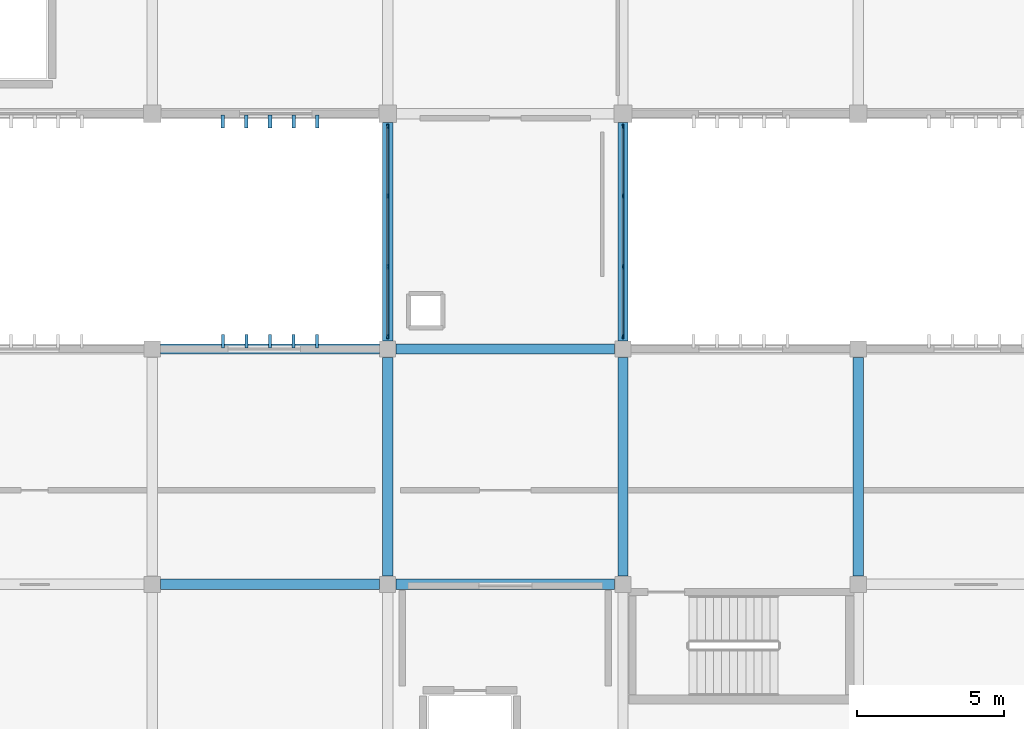
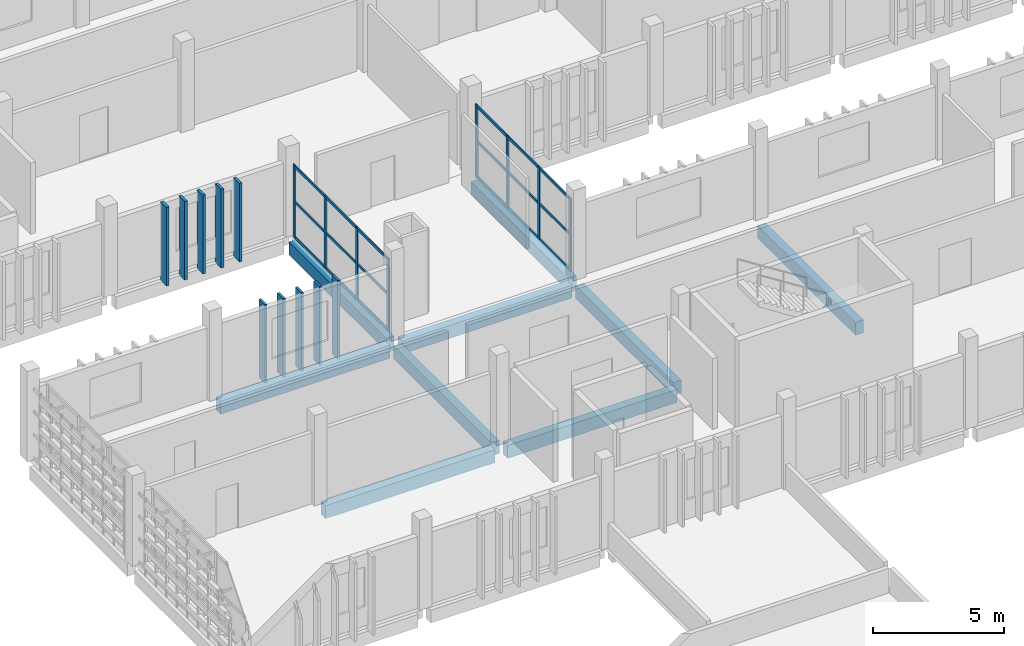
# One storey, part 21 of 48: 36 members, 9 beams, 2 elements without a shape of their own.
"""IFC4 building model written with IfcOpenShell, lengths in metres."""

from ifc_helpers import new_model, si_unit, direction, frame, origin, origin_2d, place, context, subcontext, project, spatial, rectangle, extrude, material, layer, layer_set, material_profile, profile_set, type_object, element, aggregate, save


model = new_model("IFC4")

# Units and contexts
model_context = context("Model", 3, precision=1e-05, world=origin(), true_north=direction((0.0, 1.0)))
body_context = subcontext(model_context, "Body", "Model", "MODEL_VIEW")
ifc_project = project(units=[si_unit("LENGTHUNIT", "METRE"), si_unit("AREAUNIT", "SQUARE_METRE"), si_unit("VOLUMEUNIT", "CUBIC_METRE"), si_unit("PLANEANGLEUNIT", "RADIAN"), si_unit("MASSUNIT", "GRAM", prefix="KILO")], contexts=[model_context])

# Site, building, storey
site_placement = place(None, origin())
site = spatial("IfcSite", under=ifc_project, at=site_placement, CompositionType="ELEMENT")
building_placement = place(site_placement, origin())
building = spatial("IfcBuilding", under=site, at=building_placement, Name="Jelvoka-Kovrelna Polytechnic", CompositionType="ELEMENT")
storey_placement = place(building_placement, frame((0.0, 0.0, 22.199951171875)))
storey = spatial("IfcBuildingStorey", under=building, at=storey_placement, Name="L06", CompositionType="ELEMENT", Elevation=22.199951171875)

# Beams
ifc_material_1 = material(Name="Concrete C35/45", Category="concrete")
ifc_material_profile_1 = material_profile(ifc_material_1, rectangle(XDim=0.35009765625, YDim=0.60009765625, at=origin_2d()), Name="RC 350x600")
ifc_profile_set_1 = profile_set([ifc_material_profile_1], Name="Concrete C35/45")
beam_type_1 = type_object("IfcBeamType", Name="Beam_RC_350x600", PredefinedType="BEAM", material=ifc_profile_set_1)
for number, where, z_axis, x_axis, name in (
    (1, (136.280029296875, 40.0, -0.5400390625), (1.0, 0.0, 0.0), (0.0, 1.0, 0.0), "L06 beam 1662"),
    (2, (144.280029296875, 40.0, -0.5400390625), (1.0, 0.0, 0.0), (0.0, 1.0, 0.0), "L06 beam 1663"),
    (3, (144.0, 40.280029296875, -0.5400390625), (0.0, 1.0, 0.0), (-1.0, 0.0, 0.0), "L06 beam 1683"),
    (4, (152.0, 40.280029296875, -0.5400390625), (0.0, 1.0, 0.0), (-1.0, 0.0, 0.0), "L06 beam 1685"),
    (5, (160.0, 40.280029296875, -0.5400390625), (0.0, 1.0, 0.0), (-1.0, 0.0, 0.0), "L06 beam 1687"),
):
    element("IfcBeam", number, at=place(storey_placement, frame(where, z_axis=z_axis, x_axis=x_axis)), inside=storey, type_object=beam_type_1, Name=name, PredefinedType="BEAM", context=body_context, shape_type="SweptSolid", body=[
        extrude(rectangle(XDim=0.35009765625, YDim=0.60009765625, at=origin_2d()), origin(), (0.0, 0.0, 1.0), 7.43994140625),
    ])
for number, where, z_axis, x_axis, name in (
    (6, (144.0, 48.280029296875, -0.5400390625), (0.0, 1.0, 0.0), (-1.0, 0.0, 0.0), "L06 beam 1774"),
    (7, (152.0, 48.280029296875, -0.5400390625), (0.0, 1.0, 0.0), (-1.0, 0.0, 0.0), "L06 beam 1775"),
):
    element("IfcBeam", number, at=place(storey_placement, frame(where, z_axis=z_axis, x_axis=x_axis)), inside=storey, type_object=beam_type_1, Name=name, PredefinedType="BEAM", context=body_context, shape_type="SweptSolid", body=[
        extrude(rectangle(XDim=0.35009765625, YDim=0.60009765625, at=origin_2d()), origin(), (0.0, 0.0, 1.0), 7.4150390625),
    ])

# Members
ifc_material_2 = material(Name="Precast concrete C40/50", Category="concrete")
ifc_material_profile_2 = material_profile(ifc_material_2, rectangle(XDim=0.10009765625, YDim=0.449951171875, at=origin_2d()), Name="PC 100x450")
ifc_profile_set_2 = profile_set([ifc_material_profile_2], Name="Precast concrete C40/50")
member_type_1 = type_object("IfcMemberType", Name="Louvre_Fin_100x450", PredefinedType="USERDEFINED", material=ifc_profile_set_2)
for number, where, z_axis, x_axis, name in (
    (8, (138.39990234375, 48.264892578125, -0.27001953125), (0.0, 0.0, 1.0), (1.0, 0.0, 0.0), "L06 B2E north vertical solar louvre fin 1091"),
    (9, (139.199951171875, 48.264892578125, -0.27001953125), (0.0, 0.0, 1.0), (1.0, 0.0, 0.0), "L06 B2E north vertical solar louvre fin 1092"),
    (10, (140.0, 48.264892578125, -0.27001953125), (0.0, 0.0, 1.0), (1.0, 0.0, 0.0), "L06 B2E north vertical solar louvre fin 1093"),
    (11, (140.800048828125, 48.264892578125, -0.27001953125), (0.0, 0.0, 1.0), (1.0, 0.0, 0.0), "L06 B2E north vertical solar louvre fin 1094"),
    (12, (141.60009765625, 48.264892578125, -0.27001953125), (0.0, 0.0, 1.0), (1.0, 0.0, 0.0), "L06 B2E north vertical solar louvre fin 1095"),
):
    element("IfcMember", number, at=place(storey_placement, frame(where, z_axis=z_axis, x_axis=x_axis)), inside=storey, type_object=member_type_1, Name=name, ObjectType="SUNSHADE", PredefinedType="USERDEFINED", context=body_context, shape_type="SweptSolid", body=[
        extrude(rectangle(XDim=0.10009765625, YDim=0.449951171875, at=origin_2d()), origin(), (0.0, 0.0, 1.0), 3.655029296875),
    ])
ifc_material_3 = material(Name="Precast concrete C40/50", Category="concrete")
ifc_material_profile_3 = material_profile(ifc_material_3, rectangle(XDim=0.1201171875, YDim=0.449951171875, at=origin_2d()), Name="PC 120x450")
ifc_profile_set_3 = profile_set([ifc_material_profile_3], Name="Precast concrete C40/50")
member_type_2 = type_object("IfcMemberType", Name="Louvre_Fin_120x450", PredefinedType="USERDEFINED", material=ifc_profile_set_3)
for number, where, z_axis, x_axis, name in (
    (13, (138.39990234375, 55.735107421875, -0.27001953125), (0.0, 0.0, 1.0), (1.0, 0.0, 0.0), "L06 B3 south vertical solar louvre fin 2026"),
    (14, (139.199951171875, 55.735107421875, -0.27001953125), (0.0, 0.0, 1.0), (1.0, 0.0, 0.0), "L06 B3 south vertical solar louvre fin 2027"),
    (15, (140.0, 55.735107421875, -0.27001953125), (0.0, 0.0, 1.0), (1.0, 0.0, 0.0), "L06 B3 south vertical solar louvre fin 2028"),
    (16, (140.800048828125, 55.735107421875, -0.27001953125), (0.0, 0.0, 1.0), (1.0, 0.0, 0.0), "L06 B3 south vertical solar louvre fin 2029"),
    (17, (141.60009765625, 55.735107421875, -0.27001953125), (0.0, 0.0, 1.0), (1.0, 0.0, 0.0), "L06 B3 south vertical solar louvre fin 2030"),
):
    element("IfcMember", number, at=place(storey_placement, frame(where, z_axis=z_axis, x_axis=x_axis)), inside=storey, type_object=member_type_2, Name=name, ObjectType="SUNSHADE", PredefinedType="USERDEFINED", context=body_context, shape_type="SweptSolid", body=[
        extrude(rectangle(XDim=0.1201171875, YDim=0.449951171875, at=origin_2d()), origin(), (0.0, 0.0, 1.0), 3.655029296875),
    ])

# Curtain wall, members
ifc_material_4 = material(Name="Anodised aluminium 6063-T6", Category="aluminium")
ifc_layer = layer(ifc_material_4, 0.159912109375)
ifc_layer_set = layer_set([ifc_layer], Name="Anodised aluminium 6063-T6")
curtain_wall_type = type_object("IfcCurtainWallType", Name="CW_LinkBridge", PredefinedType="NOTDEFINED", material=ifc_layer_set)
curtain_wall_1_placement = place(storey_placement, origin())
curtain_wall_1 = element("IfcCurtainWall", 18, at=curtain_wall_1_placement, inside=storey, type_object=curtain_wall_type, Name="L06 glazed curtain wall 157", PredefinedType="NOTDEFINED")
ifc_material_5 = material(Name="Anodised aluminium 6063-T6", Category="aluminium")
ifc_material_profile_4 = material_profile(ifc_material_5, rectangle(XDim=0.06005859375, YDim=0.159912109375, at=origin_2d()), Name="ALU 60x160")
ifc_profile_set_4 = profile_set([ifc_material_profile_4], Name="Anodised aluminium 6063-T6")
member_type_3 = type_object("IfcMemberType", Name="Mullion_M-04", PredefinedType="MULLION", material=ifc_profile_set_4)
member_1_placement = place(storey_placement, frame((144.0, 48.429931640625, -0.02490234375), z_axis=(0.0, 0.0, 1.0), x_axis=(-1.0, 0.0, 0.0)))
member_1 = element("IfcMember", 19, at=member_1_placement, type_object=member_type_3, Name="CW-04 mullion 1", PredefinedType="MULLION", context=body_context, shape_type="SweptSolid", body=[
    extrude(rectangle(XDim=0.06005859375, YDim=0.159912109375, at=origin_2d()), origin(), (0.0, 0.0, 1.0), 3.385009765625),
])
member_2_placement = place(storey_placement, frame((144.0, 50.800048828125, -0.02490234375), z_axis=(0.0, 0.0, 1.0), x_axis=(-1.0, 0.0, 0.0)))
member_2 = element("IfcMember", 20, at=member_2_placement, type_object=member_type_3, Name="CW-04 mullion 2", PredefinedType="MULLION", context=body_context, shape_type="SweptSolid", body=[
    extrude(rectangle(XDim=0.06005859375, YDim=0.159912109375, at=origin_2d()), origin(), (0.0, 0.0, 1.0), 3.385009765625),
])
member_3_placement = place(storey_placement, frame((144.0, 53.199951171875, -0.02490234375), z_axis=(0.0, 0.0, 1.0), x_axis=(-1.0, 0.0, 0.0)))
member_3 = element("IfcMember", 21, at=member_3_placement, type_object=member_type_3, Name="CW-04 mullion 3", PredefinedType="MULLION", context=body_context, shape_type="SweptSolid", body=[
    extrude(rectangle(XDim=0.06005859375, YDim=0.159912109375, at=origin_2d()), origin(), (0.0, 0.0, 1.0), 3.385009765625),
])
member_4_placement = place(storey_placement, frame((144.0, 55.570068359375, -0.02490234375), z_axis=(0.0, 0.0, 1.0), x_axis=(-1.0, 0.0, 0.0)))
member_4 = element("IfcMember", 22, at=member_4_placement, type_object=member_type_3, Name="CW-04 mullion 4", PredefinedType="MULLION", context=body_context, shape_type="SweptSolid", body=[
    extrude(rectangle(XDim=0.06005859375, YDim=0.159912109375, at=origin_2d()), origin(), (0.0, 0.0, 1.0), 3.385009765625),
])

curtain_wall_2_placement = place(storey_placement, origin())
curtain_wall_2 = element("IfcCurtainWall", 23, at=curtain_wall_2_placement, inside=storey, type_object=curtain_wall_type, Name="L06 glazed curtain wall 158", PredefinedType="NOTDEFINED")
member_5_placement = place(storey_placement, frame((152.0, 55.570068359375, -0.02490234375), z_axis=(0.0, 0.0, 1.0), x_axis=(1.0, 0.0, 0.0)))
member_5 = element("IfcMember", 24, at=member_5_placement, type_object=member_type_3, Name="CW-04 mullion 1", PredefinedType="MULLION", context=body_context, shape_type="SweptSolid", body=[
    extrude(rectangle(XDim=0.06005859375, YDim=0.159912109375, at=origin_2d()), origin(), (0.0, 0.0, 1.0), 3.385009765625),
])
member_6_placement = place(storey_placement, frame((152.0, 53.199951171875, -0.02490234375), z_axis=(0.0, 0.0, 1.0), x_axis=(1.0, 0.0, 0.0)))
member_6 = element("IfcMember", 25, at=member_6_placement, type_object=member_type_3, Name="CW-04 mullion 2", PredefinedType="MULLION", context=body_context, shape_type="SweptSolid", body=[
    extrude(rectangle(XDim=0.06005859375, YDim=0.159912109375, at=origin_2d()), origin(), (0.0, 0.0, 1.0), 3.385009765625),
])
member_7_placement = place(storey_placement, frame((152.0, 50.800048828125, -0.02490234375), z_axis=(0.0, 0.0, 1.0), x_axis=(1.0, 0.0, 0.0)))
member_7 = element("IfcMember", 26, at=member_7_placement, type_object=member_type_3, Name="CW-04 mullion 3", PredefinedType="MULLION", context=body_context, shape_type="SweptSolid", body=[
    extrude(rectangle(XDim=0.06005859375, YDim=0.159912109375, at=origin_2d()), origin(), (0.0, 0.0, 1.0), 3.385009765625),
])
member_8_placement = place(storey_placement, frame((152.0, 48.429931640625, -0.02490234375), z_axis=(0.0, 0.0, 1.0), x_axis=(1.0, 0.0, 0.0)))
member_8 = element("IfcMember", 27, at=member_8_placement, type_object=member_type_3, Name="CW-04 mullion 4", PredefinedType="MULLION", context=body_context, shape_type="SweptSolid", body=[
    extrude(rectangle(XDim=0.06005859375, YDim=0.159912109375, at=origin_2d()), origin(), (0.0, 0.0, 1.0), 3.385009765625),
])

# Beams
ifc_material_6 = material(Name="Concrete C40/50", Category="concrete")
ifc_material_profile_5 = material_profile(ifc_material_6, rectangle(XDim=0.35009765625, YDim=0.60009765625, at=origin_2d()), Name="RC 350x600")
ifc_profile_set_5 = profile_set([ifc_material_profile_5], Name="Concrete C40/50")
beam_type_2 = type_object("IfcBeamType", Name="Spandrel_RC_350x600", PredefinedType="SPANDREL", material=ifc_profile_set_5)
for number, where, z_axis, x_axis, name in (
    (28, (136.280029296875, 48.0, -0.5400390625), (1.0, 0.0, 0.0), (0.0, 1.0, 0.0), "L06 beam 1670"),
    (29, (144.280029296875, 48.0, -0.5400390625), (1.0, 0.0, 0.0), (0.0, 1.0, 0.0), "L06 beam 1671"),
):
    element("IfcBeam", number, at=place(storey_placement, frame(where, z_axis=z_axis, x_axis=x_axis)), inside=storey, type_object=beam_type_2, Name=name, PredefinedType="SPANDREL", context=body_context, shape_type="SweptSolid", body=[
        extrude(rectangle(XDim=0.35009765625, YDim=0.60009765625, at=origin_2d()), origin(), (0.0, 0.0, 1.0), 7.43994140625),
    ])

# Member
ifc_material_7 = material(Name="Anodised aluminium 6063-T6", Category="aluminium")
ifc_material_profile_6 = material_profile(ifc_material_7, rectangle(XDim=0.06005859375, YDim=0.1201171875, at=origin_2d()), Name="ALU 60x120")
ifc_profile_set_6 = profile_set([ifc_material_profile_6], Name="Anodised aluminium 6063-T6")
member_type_4 = type_object("IfcMemberType", Name="Transom_T-04", PredefinedType="USERDEFINED", material=ifc_profile_set_6)
member_9_placement = place(storey_placement, frame((144.0, 48.4599609375, 0.030029296875), z_axis=(0.0, 1.0, 0.0), x_axis=(-1.0, 0.0, 0.0)))
member_9 = element("IfcMember", 30, at=member_9_placement, type_object=member_type_4, Name="CW-04 transom 1.1", ObjectType="TRANSOM", PredefinedType="USERDEFINED", context=body_context, shape_type="SweptSolid", body=[
    extrude(rectangle(XDim=0.06005859375, YDim=0.1201171875, at=origin_2d()), origin(), (0.0, 0.0, 1.0), 2.31005859375),
])

member_10_placement = place(storey_placement, frame((144.0, 48.4599609375, 1.66748046875), z_axis=(0.0, 1.0, 0.0), x_axis=(-1.0, 0.0, 0.0)))
member_10 = element("IfcMember", 31, at=member_10_placement, type_object=member_type_4, Name="CW-04 transom 1.2", ObjectType="TRANSOM", PredefinedType="USERDEFINED", context=body_context, shape_type="SweptSolid", body=[
    extrude(rectangle(XDim=0.06005859375, YDim=0.1201171875, at=origin_2d()), origin(), (0.0, 0.0, 1.0), 2.31005859375),
])

member_11_placement = place(storey_placement, frame((144.0, 48.4599609375, 3.304931640625), z_axis=(0.0, 1.0, 0.0), x_axis=(-1.0, 0.0, 0.0)))
member_11 = element("IfcMember", 32, at=member_11_placement, type_object=member_type_4, Name="CW-04 transom 1.3", ObjectType="TRANSOM", PredefinedType="USERDEFINED", context=body_context, shape_type="SweptSolid", body=[
    extrude(rectangle(XDim=0.06005859375, YDim=0.1201171875, at=origin_2d()), origin(), (0.0, 0.0, 1.0), 2.31005859375),
])

member_12_placement = place(storey_placement, frame((144.0, 50.830078125, 0.030029296875), z_axis=(0.0, 1.0, 0.0), x_axis=(-1.0, 0.0, 0.0)))
member_12 = element("IfcMember", 33, at=member_12_placement, type_object=member_type_4, Name="CW-04 transom 2.1", ObjectType="TRANSOM", PredefinedType="USERDEFINED", context=body_context, shape_type="SweptSolid", body=[
    extrude(rectangle(XDim=0.06005859375, YDim=0.1201171875, at=origin_2d()), origin(), (0.0, 0.0, 1.0), 2.33984375),
])

member_13_placement = place(storey_placement, frame((144.0, 50.830078125, 1.66748046875), z_axis=(0.0, 1.0, 0.0), x_axis=(-1.0, 0.0, 0.0)))
member_13 = element("IfcMember", 34, at=member_13_placement, type_object=member_type_4, Name="CW-04 transom 2.2", ObjectType="TRANSOM", PredefinedType="USERDEFINED", context=body_context, shape_type="SweptSolid", body=[
    extrude(rectangle(XDim=0.06005859375, YDim=0.1201171875, at=origin_2d()), origin(), (0.0, 0.0, 1.0), 2.33984375),
])

member_14_placement = place(storey_placement, frame((144.0, 50.830078125, 3.304931640625), z_axis=(0.0, 1.0, 0.0), x_axis=(-1.0, 0.0, 0.0)))
member_14 = element("IfcMember", 35, at=member_14_placement, type_object=member_type_4, Name="CW-04 transom 2.3", ObjectType="TRANSOM", PredefinedType="USERDEFINED", context=body_context, shape_type="SweptSolid", body=[
    extrude(rectangle(XDim=0.06005859375, YDim=0.1201171875, at=origin_2d()), origin(), (0.0, 0.0, 1.0), 2.33984375),
])

member_15_placement = place(storey_placement, frame((144.0, 53.22998046875, 0.030029296875), z_axis=(0.0, 1.0, 0.0), x_axis=(-1.0, 0.0, 0.0)))
member_15 = element("IfcMember", 36, at=member_15_placement, type_object=member_type_4, Name="CW-04 transom 3.1", ObjectType="TRANSOM", PredefinedType="USERDEFINED", context=body_context, shape_type="SweptSolid", body=[
    extrude(rectangle(XDim=0.06005859375, YDim=0.1201171875, at=origin_2d()), origin(), (0.0, 0.0, 1.0), 2.31005859375),
])

member_16_placement = place(storey_placement, frame((144.0, 53.22998046875, 1.66748046875), z_axis=(0.0, 1.0, 0.0), x_axis=(-1.0, 0.0, 0.0)))
member_16 = element("IfcMember", 37, at=member_16_placement, type_object=member_type_4, Name="CW-04 transom 3.2", ObjectType="TRANSOM", PredefinedType="USERDEFINED", context=body_context, shape_type="SweptSolid", body=[
    extrude(rectangle(XDim=0.06005859375, YDim=0.1201171875, at=origin_2d()), origin(), (0.0, 0.0, 1.0), 2.31005859375),
])

member_17_placement = place(storey_placement, frame((144.0, 53.22998046875, 3.304931640625), z_axis=(0.0, 1.0, 0.0), x_axis=(-1.0, 0.0, 0.0)))
member_17 = element("IfcMember", 38, at=member_17_placement, type_object=member_type_4, Name="CW-04 transom 3.3", ObjectType="TRANSOM", PredefinedType="USERDEFINED", context=body_context, shape_type="SweptSolid", body=[
    extrude(rectangle(XDim=0.06005859375, YDim=0.1201171875, at=origin_2d()), origin(), (0.0, 0.0, 1.0), 2.31005859375),
])

aggregate(curtain_wall_1, [member_1, member_2, member_3, member_4, member_9, member_10, member_11, member_12, member_13, member_14, member_15, member_16, member_17])

member_18_placement = place(storey_placement, frame((152.0, 55.5400390625, 0.030029296875), z_axis=(0.0, -1.0, 0.0), x_axis=(1.0, 0.0, 0.0)))
member_18 = element("IfcMember", 39, at=member_18_placement, type_object=member_type_4, Name="CW-04 transom 1.1", ObjectType="TRANSOM", PredefinedType="USERDEFINED", context=body_context, shape_type="SweptSolid", body=[
    extrude(rectangle(XDim=0.06005859375, YDim=0.1201171875, at=origin_2d()), origin(), (0.0, 0.0, 1.0), 2.31005859375),
])

member_19_placement = place(storey_placement, frame((152.0, 55.5400390625, 1.66748046875), z_axis=(0.0, -1.0, 0.0), x_axis=(1.0, 0.0, 0.0)))
member_19 = element("IfcMember", 40, at=member_19_placement, type_object=member_type_4, Name="CW-04 transom 1.2", ObjectType="TRANSOM", PredefinedType="USERDEFINED", context=body_context, shape_type="SweptSolid", body=[
    extrude(rectangle(XDim=0.06005859375, YDim=0.1201171875, at=origin_2d()), origin(), (0.0, 0.0, 1.0), 2.31005859375),
])

member_20_placement = place(storey_placement, frame((152.0, 55.5400390625, 3.304931640625), z_axis=(0.0, -1.0, 0.0), x_axis=(1.0, 0.0, 0.0)))
member_20 = element("IfcMember", 41, at=member_20_placement, type_object=member_type_4, Name="CW-04 transom 1.3", ObjectType="TRANSOM", PredefinedType="USERDEFINED", context=body_context, shape_type="SweptSolid", body=[
    extrude(rectangle(XDim=0.06005859375, YDim=0.1201171875, at=origin_2d()), origin(), (0.0, 0.0, 1.0), 2.31005859375),
])

member_21_placement = place(storey_placement, frame((152.0, 53.169921875, 0.030029296875), z_axis=(0.0, -1.0, 0.0), x_axis=(1.0, 0.0, 0.0)))
member_21 = element("IfcMember", 42, at=member_21_placement, type_object=member_type_4, Name="CW-04 transom 2.1", ObjectType="TRANSOM", PredefinedType="USERDEFINED", context=body_context, shape_type="SweptSolid", body=[
    extrude(rectangle(XDim=0.06005859375, YDim=0.1201171875, at=origin_2d()), origin(), (0.0, 0.0, 1.0), 2.33984375),
])

member_22_placement = place(storey_placement, frame((152.0, 53.169921875, 1.66748046875), z_axis=(0.0, -1.0, 0.0), x_axis=(1.0, 0.0, 0.0)))
member_22 = element("IfcMember", 43, at=member_22_placement, type_object=member_type_4, Name="CW-04 transom 2.2", ObjectType="TRANSOM", PredefinedType="USERDEFINED", context=body_context, shape_type="SweptSolid", body=[
    extrude(rectangle(XDim=0.06005859375, YDim=0.1201171875, at=origin_2d()), origin(), (0.0, 0.0, 1.0), 2.33984375),
])

member_23_placement = place(storey_placement, frame((152.0, 53.169921875, 3.304931640625), z_axis=(0.0, -1.0, 0.0), x_axis=(1.0, 0.0, 0.0)))
member_23 = element("IfcMember", 44, at=member_23_placement, type_object=member_type_4, Name="CW-04 transom 2.3", ObjectType="TRANSOM", PredefinedType="USERDEFINED", context=body_context, shape_type="SweptSolid", body=[
    extrude(rectangle(XDim=0.06005859375, YDim=0.1201171875, at=origin_2d()), origin(), (0.0, 0.0, 1.0), 2.33984375),
])

member_24_placement = place(storey_placement, frame((152.0, 50.77001953125, 0.030029296875), z_axis=(0.0, -1.0, 0.0), x_axis=(1.0, 0.0, 0.0)))
member_24 = element("IfcMember", 45, at=member_24_placement, type_object=member_type_4, Name="CW-04 transom 3.1", ObjectType="TRANSOM", PredefinedType="USERDEFINED", context=body_context, shape_type="SweptSolid", body=[
    extrude(rectangle(XDim=0.06005859375, YDim=0.1201171875, at=origin_2d()), origin(), (0.0, 0.0, 1.0), 2.31005859375),
])

member_25_placement = place(storey_placement, frame((152.0, 50.77001953125, 1.66748046875), z_axis=(0.0, -1.0, 0.0), x_axis=(1.0, 0.0, 0.0)))
member_25 = element("IfcMember", 46, at=member_25_placement, type_object=member_type_4, Name="CW-04 transom 3.2", ObjectType="TRANSOM", PredefinedType="USERDEFINED", context=body_context, shape_type="SweptSolid", body=[
    extrude(rectangle(XDim=0.06005859375, YDim=0.1201171875, at=origin_2d()), origin(), (0.0, 0.0, 1.0), 2.31005859375),
])

member_26_placement = place(storey_placement, frame((152.0, 50.77001953125, 3.304931640625), z_axis=(0.0, -1.0, 0.0), x_axis=(1.0, 0.0, 0.0)))
member_26 = element("IfcMember", 47, at=member_26_placement, type_object=member_type_4, Name="CW-04 transom 3.3", ObjectType="TRANSOM", PredefinedType="USERDEFINED", context=body_context, shape_type="SweptSolid", body=[
    extrude(rectangle(XDim=0.06005859375, YDim=0.1201171875, at=origin_2d()), origin(), (0.0, 0.0, 1.0), 2.31005859375),
])

aggregate(curtain_wall_2, [member_5, member_6, member_7, member_8, member_18, member_19, member_20, member_21, member_22, member_23, member_24, member_25, member_26])

save(model, "model.ifc")
